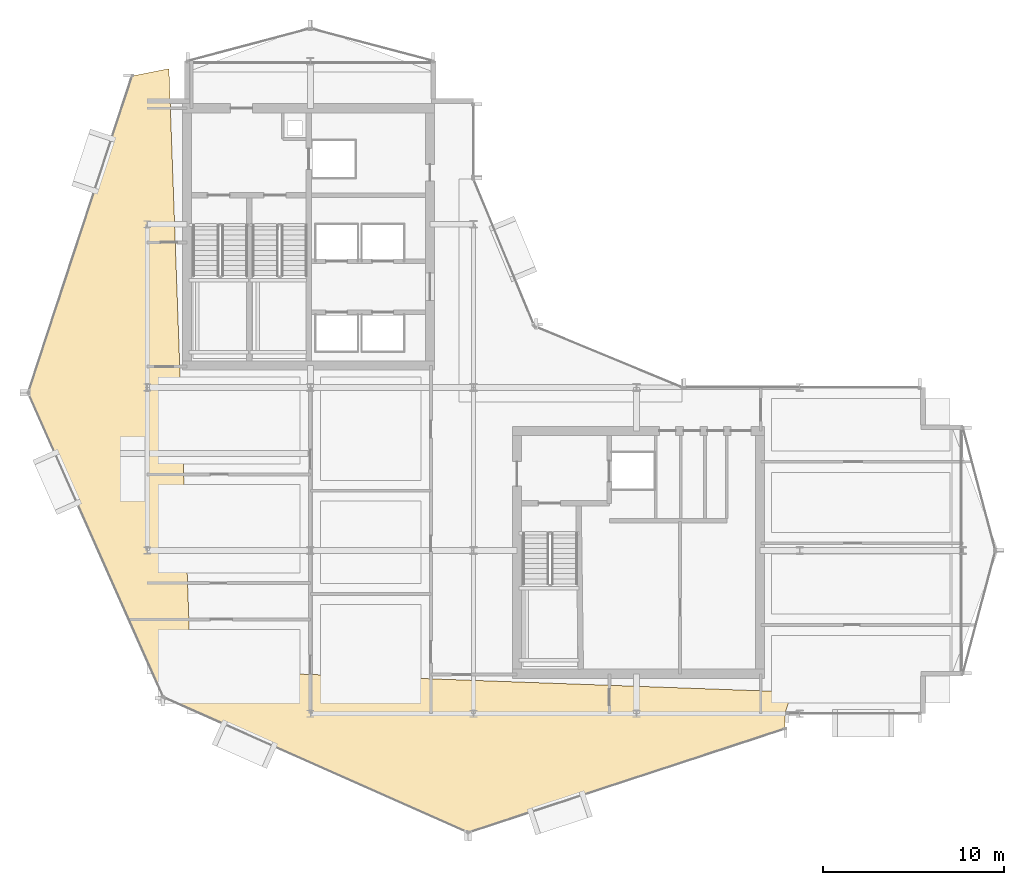
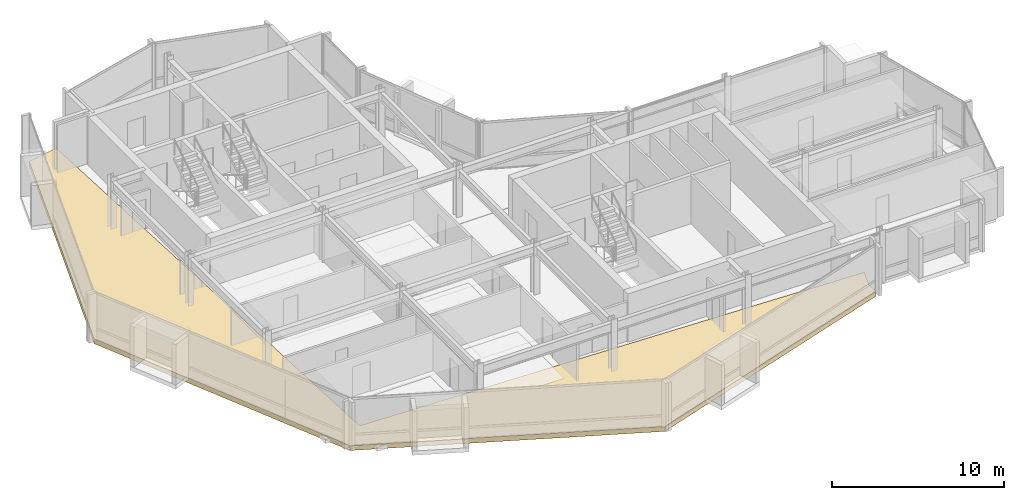
# One storey, part 25 of 28: 1 covering.
"""IFC4 building model written with IfcOpenShell, lengths in metres."""

from ifc_helpers import new_model, si_unit, direction, frame, origin, place, context, subcontext, project, spatial, polyline, outline, extrude, material, layer, layer_set, type_object, element, save


model = new_model("IFC4")

# Units and contexts
model_context = context("Model", 3, precision=1e-05, world=origin(), true_north=direction((0.0, 1.0)))
body_context = subcontext(model_context, "Body", "Model", "MODEL_VIEW")
ifc_project = project(units=[si_unit("LENGTHUNIT", "METRE"), si_unit("AREAUNIT", "SQUARE_METRE"), si_unit("VOLUMEUNIT", "CUBIC_METRE"), si_unit("PLANEANGLEUNIT", "RADIAN"), si_unit("MASSUNIT", "GRAM", prefix="KILO")], contexts=[model_context])

# Site, building, storey
site_placement = place(None, origin())
site = spatial("IfcSite", under=ifc_project, at=site_placement, CompositionType="ELEMENT")
building_placement = place(site_placement, origin())
building = spatial("IfcBuilding", under=site, at=building_placement, Name="Solvaryn Broadcast Tower", CompositionType="ELEMENT")
storey_placement = place(building_placement, frame((0.0, 0.0, 213.60009765625)))
storey = spatial("IfcBuildingStorey", under=building, at=storey_placement, Name="L53", CompositionType="ELEMENT", Elevation=213.60009765625)

# Covering
ifc_material = material(Name="Sculpted Architectural Terracotta Wave Fascia", Category="masonry")
ifc_layer = layer(ifc_material, 0.340087890625)
ifc_layer_set = layer_set([ifc_layer], Name="CV-WAVE-TRAY")
covering_type = type_object("IfcCoveringType", Name="CV-WAVE-TRAY", PredefinedType="CLADDING", material=ifc_layer_set)
covering_placement = place(storey_placement, frame((0.0, 0.0, -0.300048828125)))
element("IfcCovering", 1, at=covering_placement, inside=storey, type_object=covering_type, Name="L53 Stepped Cylindrical Drum Floor Apron", PredefinedType="CLADDING", context=body_context, shape_type="SweptSolid", body=[
    extrude(outline(polyline([(10.199951171875, 44.58203125), (8.1630859375, 44.181884765625), (2.43310546875, 26.7060546875), (9.89794921875, 9.89794921875), (26.7060546875, 2.43310546875), (44.181884765625, 8.1630859375), (44.181884765625, 9.0), (44.58203125, 10.199951171875), (11.39990234375, 11.39990234375), (10.199951171875, 44.58203125)])), origin(), (0.0, 0.0, 1.0), 0.329833984375),
])

save(model, "model.ifc")
